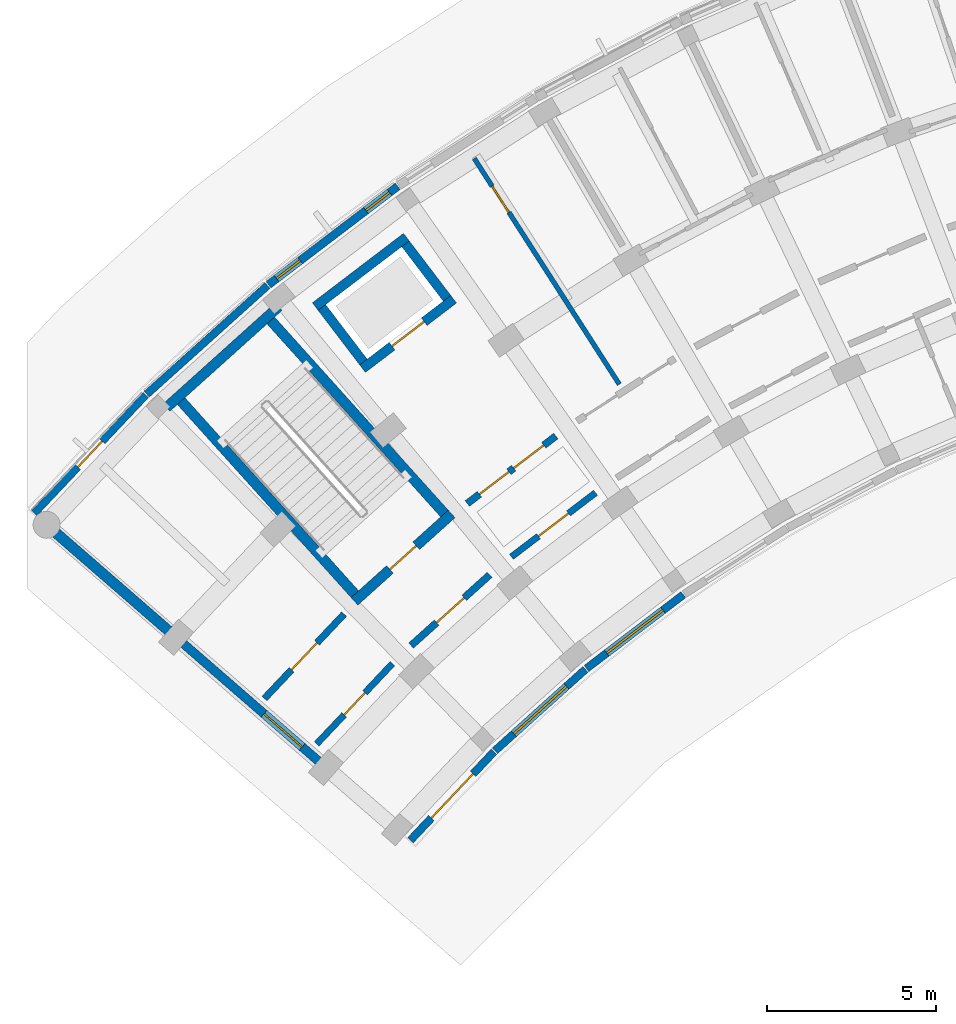
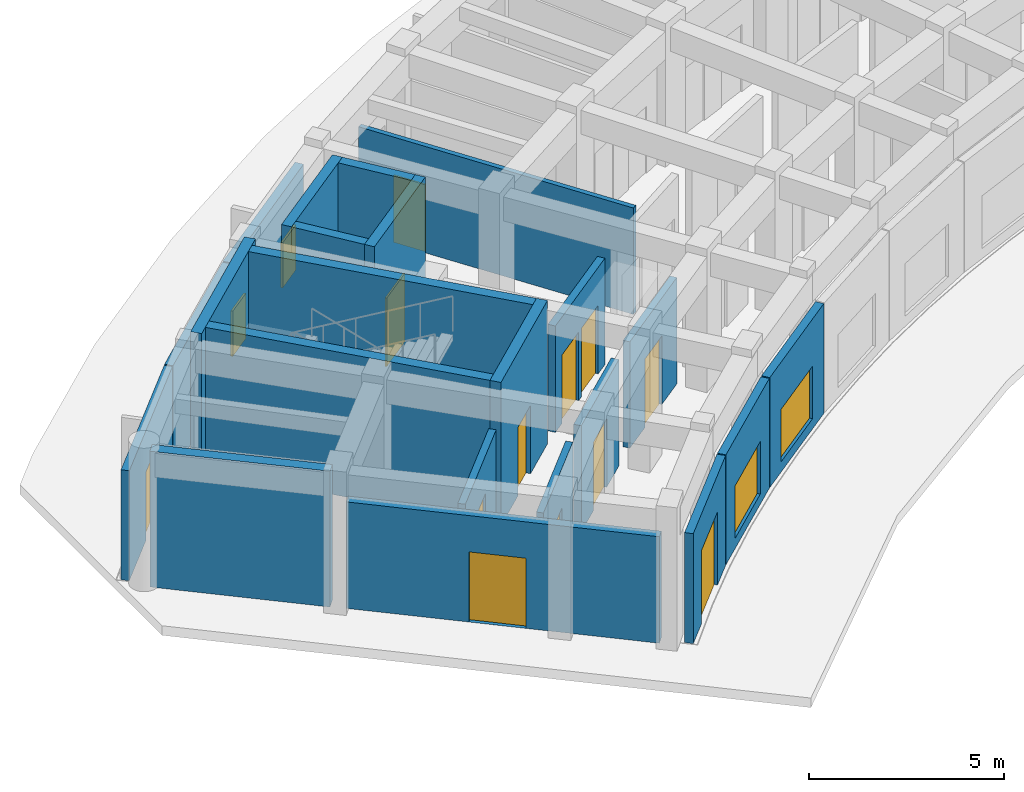
# One storey, part 31 of 61: 22 walls, 12 doors, 4 windows, 16 openings.
"""IFC4 building model written with IfcOpenShell, lengths in metres."""

from ifc_helpers import new_model, si_unit, direction, frame, frame_2d, origin, place, context, subcontext, project, spatial, rectangle, extrude, material, layer, layer_set, type_object, element, fill, save


model = new_model("IFC4")

# Units and contexts
model_context = context("Model", 3, precision=1e-05, world=origin(), true_north=direction((0.0, 1.0)))
body_context = subcontext(model_context, "Body", "Model", "MODEL_VIEW")
ifc_project = project(units=[si_unit("LENGTHUNIT", "METRE"), si_unit("AREAUNIT", "SQUARE_METRE"), si_unit("VOLUMEUNIT", "CUBIC_METRE"), si_unit("PLANEANGLEUNIT", "RADIAN"), si_unit("MASSUNIT", "GRAM", prefix="KILO")], contexts=[model_context])

# Site, building, storey
site_placement = place(None, origin())
site = spatial("IfcSite", under=ifc_project, at=site_placement, CompositionType="ELEMENT")
building_placement = place(site_placement, origin())
building = spatial("IfcBuilding", under=site, at=building_placement, Name="Zimvara Arc Housing Community", CompositionType="ELEMENT")
storey_placement = place(building_placement, origin())
storey = spatial("IfcBuildingStorey", under=building, at=storey_placement, Name="L00", CompositionType="ELEMENT", Elevation=0.0)

# Wall, opening, door
ifc_material_1 = material(Name="Board-Marked Fair-Faced Concrete C35/45", Category="concrete")
ifc_layer_1 = layer(ifc_material_1, 0.219970703125)
ifc_layer_set_1 = layer_set([ifc_layer_1], Name="Board-Marked Fair-Faced Concrete C35/45")
wall_type_1 = type_object("IfcWallType", Name="EWL-CONC-220", PredefinedType="SOLIDWALL", material=ifc_layer_set_1)
wall_1_placement = place(storey_placement, frame((0.198974609375, 83.471435546875, 0.0), z_axis=(0.0, 0.0, 1.0), x_axis=(0.686350671901, 0.727270757821, 0.0)))
wall_1 = element("IfcWall", 1, at=wall_1_placement, inside=storey, type_object=wall_type_1, Name="ewall:blkA:L00:out:b0", PredefinedType="SOLIDWALL", context=body_context, shape_type="SweptSolid", body=[
    extrude(rectangle(XDim=4.808837890625, YDim=0.219970703125, at=frame_2d((2.404296875, 0.0))), origin(), (0.0, 0.0, 1.0), 3.449951171875),
])
opening_1_placement = place(wall_1_placement, frame((1.87939453125, 0.0, 0.0)))
opening_1 = element("IfcOpeningElement", 2, at=opening_1_placement, cuts=wall_1, Name="Opening ED08", PredefinedType="OPENING", context=body_context, shape_type="SweptSolid", body=[
    extrude(rectangle(XDim=1.050048828125, YDim=2.14990234375, at=frame_2d((0.52490234375, 1.074951171875))), frame((0.0, 0.119873046875, 0.0), z_axis=(0.0, -1.0, 0.0), x_axis=(1.0, 0.0, 0.0)), (0.0, 0.0, 1.0), 0.239990234375),
])
ifc_material_2 = material(Name="Anodised Aluminium AW-6063", Category="aluminium")
door_type_1 = type_object("IfcDoorType", Name="EDR-FCC-1050x2150", OperationType="NOTDEFINED", PredefinedType="DOOR", material=ifc_material_2)
door_1_placement = place(opening_1_placement, origin())
door_1 = element("IfcDoor", 3, at=door_1_placement, inside=storey, type_object=door_type_1, Name="edoor:blkA:L00:fcc", OperationType="SINGLE_SWING_RIGHT", OverallHeight=2.14990234375, OverallWidth=1.050048828125, PredefinedType="DOOR", context=body_context, shape_type="SweptSolid", body=[
    extrude(rectangle(XDim=1.050048828125, YDim=2.14990234375, at=frame_2d((0.52490234375, 1.074951171875))), frame((0.0, 0.02490234375, 0.0), z_axis=(0.0, -1.0, 0.0), x_axis=(1.0, 0.0, 0.0)), (0.0, 0.0, 1.0), 0.050048828125),
])
fill(opening_1, door_1)

ifc_material_3 = material(Name="Board-Marked Fair-Faced Concrete C35/45", Category="concrete")
ifc_layer_2 = layer(ifc_material_3, 0.22998046875)
ifc_layer_set_2 = layer_set([ifc_layer_2], Name="Board-Marked Fair-Faced Concrete C35/45")
wall_type_2 = type_object("IfcWallType", Name="EWL-CONC-230", PredefinedType="SOLIDWALL", material=ifc_layer_set_2)
wall_2_placement = place(storey_placement, frame((11.338623046875, 73.787841796875, 0.0), z_axis=(0.0, 0.0, 1.0), x_axis=(0.686315111338, 0.727304315915, 0.0)))
wall_2 = element("IfcWall", 4, at=wall_2_placement, inside=storey, type_object=wall_type_2, Name="ewall:blkA:L00:in:b0", PredefinedType="SOLIDWALL", context=body_context, shape_type="SweptSolid", body=[
    extrude(rectangle(XDim=3.603515625, YDim=0.22998046875, at=frame_2d((1.8017578125, 0.0))), origin(), (0.0, 0.0, 1.0), 3.449951171875),
])
opening_2_placement = place(wall_2_placement, frame((0.90185546875, 0.0, 0.0)))
opening_2 = element("IfcOpeningElement", 5, at=opening_2_placement, cuts=wall_2, Name="Opening ED02", PredefinedType="OPENING", context=body_context, shape_type="SweptSolid", body=[
    extrude(rectangle(XDim=1.800048828125, YDim=2.300048828125, at=frame_2d((0.89990234375, 1.14990234375))), frame((0.0, 0.125, 0.0), z_axis=(0.0, -1.0, 0.0), x_axis=(1.0, 0.0, 0.0)), (0.0, 0.0, 1.0), 0.25),
])
ifc_material_4 = material(Name="Anodised Aluminium AW-6063", Category="aluminium")
door_type_2 = type_object("IfcDoorType", Name="EDR-EXIT-1800x2300", OperationType="DOUBLE_DOOR_SINGLE_SWING", PredefinedType="DOOR", material=ifc_material_4)
door_2_placement = place(opening_2_placement, origin())
door_2 = element("IfcDoor", 6, at=door_2_placement, inside=storey, type_object=door_type_2, Name="edoor:blkA:L00:lobby", OperationType="DOUBLE_DOOR_SINGLE_SWING", OverallHeight=2.300048828125, OverallWidth=1.800048828125, PredefinedType="DOOR", context=body_context, shape_type="SweptSolid", body=[
    extrude(rectangle(XDim=1.800048828125, YDim=2.300048828125, at=frame_2d((0.89990234375, 1.14990234375))), frame((0.0, 0.02490234375, 0.0), z_axis=(0.0, -1.0, 0.0), x_axis=(1.0, 0.0, 0.0)), (0.0, 0.0, 1.0), 0.050048828125),
])
fill(opening_2, door_2)

# Wall
wall_3_placement = place(storey_placement, frame((3.528076171875, 86.996826171875, 0.0), z_axis=(0.0, 0.0, 1.0), x_axis=(0.743387539862, 0.668860946369, 0.0)))
element("IfcWall", 7, at=wall_3_placement, inside=storey, type_object=wall_type_2, Name="ewall:blkA:L00:out:b1", PredefinedType="SOLIDWALL", context=body_context, shape_type="SweptSolid", body=[
    extrude(rectangle(XDim=4.80908203125, YDim=0.22998046875, at=frame_2d((2.404541015625, 0.0))), origin(), (0.0, 0.0, 1.0), 3.449951171875),
])

# Wall, opening, window
wall_4_placement = place(storey_placement, frame((13.84033203125, 76.436767578125, 0.0), z_axis=(0.0, 0.0, 1.0), x_axis=(0.743385092197, 0.668863666751, 0.0)))
wall_4 = element("IfcWall", 8, at=wall_4_placement, inside=storey, type_object=wall_type_2, Name="ewall:blkA:L00:in:b1", PredefinedType="SOLIDWALL", context=body_context, shape_type="SweptSolid", body=[
    extrude(rectangle(XDim=3.603759765625, YDim=0.22998046875, at=frame_2d((1.8017578125, 0.0))), origin(), (0.0, 0.0, 1.0), 3.449951171875),
])
opening_3_placement = place(wall_4_placement, frame((0.751708984375, 0.0, 0.320068359375)))
opening_3 = element("IfcOpeningElement", 9, at=opening_3_placement, cuts=wall_4, Name="Opening W09", PredefinedType="OPENING", context=body_context, shape_type="SweptSolid", body=[
    extrude(rectangle(XDim=2.10009765625, YDim=1.64990234375, at=frame_2d((1.050048828125, 0.824951171875))), frame((0.0, 0.125, 0.0), z_axis=(0.0, -1.0, 0.0), x_axis=(1.0, 0.0, 0.0)), (0.0, 0.0, 1.0), 0.25),
])
ifc_material_5 = material(Name="Solar Control Low-E Double Glazing", Category="glass")
window_type_1 = type_object("IfcWindowType", Name="WIN-RES-2100x1650", PartitioningType="TRIPLE_PANEL_VERTICAL", PredefinedType="WINDOW", material=ifc_material_5)
window_1_placement = place(opening_3_placement, origin())
window_1 = element("IfcWindow", 10, at=window_1_placement, inside=storey, type_object=window_type_1, Name="win:blkA:L00:in:b1", OverallHeight=1.64990234375, OverallWidth=2.10009765625, PartitioningType="TRIPLE_PANEL_VERTICAL", PredefinedType="WINDOW", context=body_context, shape_type="SweptSolid", body=[
    extrude(rectangle(XDim=2.10009765625, YDim=1.64990234375, at=frame_2d((1.050048828125, 0.824951171875))), frame((0.0, 0.030029296875, 0.0), z_axis=(0.0, -1.0, 0.0), x_axis=(1.0, 0.0, 0.0)), (0.0, 0.0, 1.0), 0.06005859375),
])
fill(opening_3, window_1)

wall_5_placement = place(storey_placement, frame((16.550048828125, 78.87255859375, 0.0), z_axis=(0.0, 0.0, 1.0), x_axis=(0.795473707045, 0.605988103349, 0.0)))
wall_5 = element("IfcWall", 11, at=wall_5_placement, inside=storey, type_object=wall_type_2, Name="ewall:blkA:L00:in:b2", PredefinedType="SOLIDWALL", context=body_context, shape_type="SweptSolid", body=[
    extrude(rectangle(XDim=3.603759765625, YDim=0.22998046875, at=frame_2d((1.8017578125, 0.0))), origin(), (0.0, 0.0, 1.0), 3.449951171875),
])
opening_4_placement = place(wall_5_placement, frame((0.751708984375, 0.0, 0.320068359375)))
opening_4 = element("IfcOpeningElement", 12, at=opening_4_placement, cuts=wall_5, Name="Opening W09", PredefinedType="OPENING", context=body_context, shape_type="SweptSolid", body=[
    extrude(rectangle(XDim=2.10009765625, YDim=1.64990234375, at=frame_2d((1.050048828125, 0.824951171875))), frame((0.0, 0.125, 0.0), z_axis=(0.0, -1.0, 0.0), x_axis=(1.0, 0.0, 0.0)), (0.0, 0.0, 1.0), 0.25),
])
window_2_placement = place(opening_4_placement, origin())
window_2 = element("IfcWindow", 13, at=window_2_placement, inside=storey, type_object=window_type_1, Name="win:blkA:L00:in:b2", OverallHeight=1.64990234375, OverallWidth=2.10009765625, PartitioningType="TRIPLE_PANEL_VERTICAL", PredefinedType="WINDOW", context=body_context, shape_type="SweptSolid", body=[
    extrude(rectangle(XDim=2.10009765625, YDim=1.64990234375, at=frame_2d((1.050048828125, 0.824951171875))), frame((0.0, 0.030029296875, 0.0), z_axis=(0.0, -1.0, 0.0), x_axis=(1.0, 0.0, 0.0)), (0.0, 0.0, 1.0), 0.06005859375),
])
fill(opening_4, window_2)

# Wall, openings, windows
ifc_material_6 = material(Name="Board-Marked Fair-Faced Concrete C35/45", Category="concrete")
ifc_layer_3 = layer(ifc_material_6, 0.239990234375)
ifc_layer_set_3 = layer_set([ifc_layer_3], Name="Board-Marked Fair-Faced Concrete C35/45")
wall_type_3 = type_object("IfcWallType", Name="EWL-CONC-240", PredefinedType="SOLIDWALL", material=ifc_layer_set_3)
wall_6_placement = place(storey_placement, frame((7.1337890625, 90.23876953125, 0.0), z_axis=(0.0, 0.0, 1.0), x_axis=(0.795469013207, 0.605994264848, 0.0)))
wall_6 = element("IfcWall", 14, at=wall_6_placement, inside=storey, type_object=wall_type_3, Name="ewall:blkA:L00:out:b2", PredefinedType="SOLIDWALL", context=body_context, shape_type="SweptSolid", body=[
    extrude(rectangle(XDim=4.808837890625, YDim=0.239990234375, at=frame_2d((2.404296875, 0.0))), origin(), (0.0, 0.0, 1.0), 3.449951171875),
])
opening_5_placement = place(wall_6_placement, frame((0.300048828125, 0.0, 0.300048828125)))
opening_5 = element("IfcOpeningElement", 15, at=opening_5_placement, cuts=wall_6, Name="Opening W23", PredefinedType="OPENING", context=body_context, shape_type="SweptSolid", body=[
    extrude(rectangle(XDim=0.8798828125, YDim=1.419921875, at=frame_2d((0.43994140625, 0.7099609375))), frame((0.0, 0.1298828125, 0.0), z_axis=(0.0, -1.0, 0.0), x_axis=(1.0, 0.0, 0.0)), (0.0, 0.0, 1.0), 0.260009765625),
])
opening_6_placement = place(wall_6_placement, frame((3.62890625, 0.0, 0.300048828125)))
opening_6 = element("IfcOpeningElement", 16, at=opening_6_placement, cuts=wall_6, Name="Opening W23", PredefinedType="OPENING", context=body_context, shape_type="SweptSolid", body=[
    extrude(rectangle(XDim=0.8798828125, YDim=1.419921875, at=frame_2d((0.43994140625, 0.7099609375))), frame((0.0, 0.1298828125, 0.0), z_axis=(0.0, -1.0, 0.0), x_axis=(1.0, 0.0, 0.0)), (0.0, 0.0, 1.0), 0.260009765625),
])
ifc_material_7 = material(Name="Solar Control Low-E Double Glazing", Category="glass")
window_type_2 = type_object("IfcWindowType", Name="WIN-MOD-880x1420", PartitioningType="DOUBLE_PANEL_VERTICAL", PredefinedType="WINDOW", material=ifc_material_7)
window_3_placement = place(opening_5_placement, origin())
window_3 = element("IfcWindow", 17, at=window_3_placement, inside=storey, type_object=window_type_2, Name="win:blkA:L00:out:b2:1", OverallHeight=1.419921875, OverallWidth=0.8798828125, PartitioningType="DOUBLE_PANEL_VERTICAL", PredefinedType="WINDOW", context=body_context, shape_type="SweptSolid", body=[
    extrude(rectangle(XDim=0.8798828125, YDim=1.419921875, at=frame_2d((0.43994140625, 0.7099609375))), frame((0.0, 0.030029296875, 0.0), z_axis=(0.0, -1.0, 0.0), x_axis=(1.0, 0.0, 0.0)), (0.0, 0.0, 1.0), 0.06005859375),
])
fill(opening_5, window_3)
window_4_placement = place(opening_6_placement, origin())
window_4 = element("IfcWindow", 18, at=window_4_placement, inside=storey, type_object=window_type_2, Name="win:blkA:L00:out:b2:2", OverallHeight=1.419921875, OverallWidth=0.8798828125, PartitioningType="DOUBLE_PANEL_VERTICAL", PredefinedType="WINDOW", context=body_context, shape_type="SweptSolid", body=[
    extrude(rectangle(XDim=0.8798828125, YDim=1.419921875, at=frame_2d((0.43994140625, 0.7099609375))), frame((0.0, 0.030029296875, 0.0), z_axis=(0.0, -1.0, 0.0), x_axis=(1.0, 0.0, 0.0)), (0.0, 0.0, 1.0), 0.06005859375),
])
fill(opening_6, window_4)

# Wall, opening, door
ifc_material_8 = material(Name="Board-Marked Fair-Faced Concrete C35/45", Category="concrete")
ifc_layer_4 = layer(ifc_material_8, 0.264892578125)
ifc_layer_set_4 = layer_set([ifc_layer_4], Name="Board-Marked Fair-Faced Concrete C35/45")
wall_type_4 = type_object("IfcWallType", Name="EWL-CONC-265", PredefinedType="SOLIDWALL", material=ifc_layer_set_4)
wall_7_placement = place(storey_placement, frame((10.766357421875, 74.2587890625, 0.0), z_axis=(0.0, 0.0, 1.0), x_axis=(-0.754717680958, 0.656049710044, 0.0)))
wall_7 = element("IfcWall", 19, at=wall_7_placement, inside=storey, type_object=wall_type_4, Name="ewall:blkA:L00:g0", PredefinedType="SOLIDWALL", context=body_context, shape_type="SweptSolid", body=[
    extrude(rectangle(XDim=8.199951171875, YDim=0.264892578125, at=frame_2d((4.10009765625, 0.0))), origin(), (0.0, 0.0, 1.0), 3.340087890625),
])
opening_7_placement = place(wall_7_placement, frame((3.489990234375, 0.0, 0.0)))
opening_7 = element("IfcOpeningElement", 20, at=opening_7_placement, cuts=wall_7, Name="Opening ED01", PredefinedType="OPENING", context=body_context, shape_type="SweptSolid", body=[
    extrude(rectangle(XDim=1.5, YDim=2.199951171875, at=frame_2d((0.75, 1.10009765625))), frame((0.0, 0.142333984375, 0.0), z_axis=(0.0, -1.0, 0.0), x_axis=(1.0, 0.0, 0.0)), (0.0, 0.0, 1.0), 0.284912109375),
])
ifc_material_9 = material(Name="Anodised Aluminium AW-6063", Category="aluminium")
door_type_3 = type_object("IfcDoorType", Name="EDR-EXIT-1500x2200", OperationType="DOUBLE_DOOR_SINGLE_SWING", PredefinedType="DOOR", material=ifc_material_9)
door_3_placement = place(opening_7_placement, origin())
door_3 = element("IfcDoor", 21, at=door_3_placement, inside=storey, type_object=door_type_3, Name="edoor:blkA:L00:corr_exit:g0", OperationType="DOUBLE_DOOR_SINGLE_SWING", OverallHeight=2.199951171875, OverallWidth=1.5, PredefinedType="DOOR", context=body_context, shape_type="SweptSolid", body=[
    extrude(rectangle(XDim=1.5, YDim=2.199951171875, at=frame_2d((0.75, 1.10009765625))), frame((0.0, 0.02490234375, 0.0), z_axis=(0.0, -1.0, 0.0), x_axis=(1.0, 0.0, 0.0)), (0.0, 0.0, 1.0), 0.050048828125),
])
fill(opening_7, door_3)

ifc_material_10 = material(Name="Concrete C35/45", Category="concrete")
ifc_layer_5 = layer(ifc_material_10, 0.2099609375)
ifc_layer_set_5 = layer_set([ifc_layer_5], Name="Concrete C35/45")
wall_type_5 = type_object("IfcWallType", Name="IWL-CCF-210", PredefinedType="SOLIDWALL", material=ifc_layer_set_5)
wall_8_placement = place(storey_placement, frame((11.357177734375, 79.5517578125, 0.0), z_axis=(0.0, 0.0, 1.0), x_axis=(0.743387266925, 0.668861249718, 0.0)))
wall_8 = element("IfcWall", 22, at=wall_8_placement, inside=storey, type_object=wall_type_5, Name="iwall:blkA:L00:ccf_div:b1", PredefinedType="SOLIDWALL", context=body_context, shape_type="SweptSolid", body=[
    extrude(rectangle(XDim=3.12841796875, YDim=0.2099609375, at=frame_2d((1.564208984375, 0.0))), origin(), (0.0, 0.0, 1.0), 3.340087890625),
])
opening_8_placement = place(wall_8_placement, frame((1.014404296875, 0.0, 0.0)))
opening_8 = element("IfcOpeningElement", 23, at=opening_8_placement, cuts=wall_8, Name="Opening FD-CCF1", PredefinedType="OPENING", context=body_context, shape_type="SweptSolid", body=[
    extrude(rectangle(XDim=1.10009765625, YDim=2.14990234375, at=frame_2d((0.550048828125, 1.074951171875))), frame((0.0, 0.114990234375, 0.0), z_axis=(0.0, -1.0, 0.0), x_axis=(1.0, 0.0, 0.0)), (0.0, 0.0, 1.0), 0.22998046875),
])
ifc_material_11 = material(Name="Anodised Aluminium AW-6063", Category="aluminium")
door_type_4 = type_object("IfcDoorType", Name="IDR-CCF-1100x2150", OperationType="NOTDEFINED", PredefinedType="DOOR", material=ifc_material_11)
door_4_placement = place(opening_8_placement, origin())
door_4 = element("IfcDoor", 24, at=door_4_placement, inside=storey, type_object=door_type_4, Name="idoor:blkA:L00:ccf_in:b1", OperationType="SINGLE_SWING_LEFT", OverallHeight=2.14990234375, OverallWidth=1.10009765625, PredefinedType="DOOR", context=body_context, shape_type="SweptSolid", body=[
    extrude(rectangle(XDim=1.10009765625, YDim=2.14990234375, at=frame_2d((0.550048828125, 1.074951171875))), frame((0.0, 0.02490234375, 0.0), z_axis=(0.0, -1.0, 0.0), x_axis=(1.0, 0.0, 0.0)), (0.0, 0.0, 1.0), 0.050048828125),
])
fill(opening_8, door_4)

# Wall, openings, doors
wall_9_placement = place(storey_placement, frame((13.021240234375, 83.758544921875, 0.0), z_axis=(0.0, 0.0, 1.0), x_axis=(0.795498026433, 0.605956178235, 0.0)))
wall_9 = element("IfcWall", 25, at=wall_9_placement, inside=storey, type_object=wall_type_5, Name="iwall:blkA:L00:ll_div:b2", PredefinedType="SOLIDWALL", context=body_context, shape_type="SweptSolid", body=[
    extrude(rectangle(XDim=3.296142578125, YDim=0.2099609375, at=frame_2d((1.64794921875, 0.0))), origin(), (0.0, 0.0, 1.0), 3.340087890625),
])
opening_9_placement = place(wall_9_placement, frame((0.449951171875, 0.0, 0.0)))
opening_9 = element("IfcOpeningElement", 26, at=opening_9_placement, cuts=wall_9, Name="Opening FD-CCF1", PredefinedType="OPENING", context=body_context, shape_type="SweptSolid", body=[
    extrude(rectangle(XDim=1.10009765625, YDim=2.14990234375, at=frame_2d((0.550048828125, 1.074951171875))), frame((0.0, 0.114990234375, 0.0), z_axis=(0.0, -1.0, 0.0), x_axis=(1.0, 0.0, 0.0)), (0.0, 0.0, 1.0), 0.22998046875),
])
opening_10_placement = place(wall_9_placement, frame((1.72607421875, 0.0, 0.0)))
opening_10 = element("IfcOpeningElement", 27, at=opening_10_placement, cuts=wall_9, Name="Opening D07", PredefinedType="OPENING", context=body_context, shape_type="SweptSolid", body=[
    extrude(rectangle(XDim=1.1201171875, YDim=2.14990234375, at=frame_2d((0.56005859375, 1.074951171875))), frame((0.0, 0.114990234375, 0.0), z_axis=(0.0, -1.0, 0.0), x_axis=(1.0, 0.0, 0.0)), (0.0, 0.0, 1.0), 0.22998046875),
])
ifc_material_12 = material(Name="Mozambican Hardwood", Category="wood")
door_type_5 = type_object("IfcDoorType", Name="IDR-AMN-1120x2150", OperationType="NOTDEFINED", PredefinedType="DOOR", material=ifc_material_12)
door_5_placement = place(opening_10_placement, origin())
door_5 = element("IfcDoor", 28, at=door_5_placement, inside=storey, type_object=door_type_5, Name="idoor:blkA:L00:rs_in:b2", OperationType="SINGLE_SWING_LEFT", OverallHeight=2.14990234375, OverallWidth=1.1201171875, PredefinedType="DOOR", context=body_context, shape_type="SweptSolid", body=[
    extrude(rectangle(XDim=1.1201171875, YDim=2.14990234375, at=frame_2d((0.56005859375, 1.074951171875))), frame((0.0, 0.02490234375, 0.0), z_axis=(0.0, -1.0, 0.0), x_axis=(1.0, 0.0, 0.0)), (0.0, 0.0, 1.0), 0.050048828125),
])
fill(opening_10, door_5)
door_6_placement = place(opening_9_placement, origin())
door_6 = element("IfcDoor", 29, at=door_6_placement, inside=storey, type_object=door_type_4, Name="idoor:blkA:L00:ll_in:b2", OperationType="SINGLE_SWING_RIGHT", OverallHeight=2.14990234375, OverallWidth=1.10009765625, PredefinedType="DOOR", context=body_context, shape_type="SweptSolid", body=[
    extrude(rectangle(XDim=1.10009765625, YDim=2.14990234375, at=frame_2d((0.550048828125, 1.074951171875))), frame((0.0, 0.02490234375, 0.0), z_axis=(0.0, -1.0, 0.0), x_axis=(1.0, 0.0, 0.0)), (0.0, 0.0, 1.0), 0.050048828125),
])
fill(opening_9, door_6)

# Wall, opening, door
ifc_material_13 = material(Name="Concrete C35/45", Category="concrete")
ifc_layer_6 = layer(ifc_material_13, 0.18994140625)
ifc_layer_set_6 = layer_set([ifc_layer_6], Name="Concrete C35/45")
wall_type_6 = type_object("IfcWallType", Name="IWL-CORR-190", PredefinedType="SOLIDWALL", material=ifc_layer_set_6)
wall_10_placement = place(storey_placement, frame((8.561279296875, 76.638916015625, 0.0), z_axis=(0.0, 0.0, 1.0), x_axis=(0.686307658735, 0.727311348434, 0.0)))
wall_10 = element("IfcWall", 30, at=wall_10_placement, inside=storey, type_object=wall_type_6, Name="iwall:blkA:L00:corr_in:b0", PredefinedType="SOLIDWALL", context=body_context, shape_type="SweptSolid", body=[
    extrude(rectangle(XDim=3.268798828125, YDim=0.18994140625, at=frame_2d((1.63427734375, 0.0))), origin(), (0.0, 0.0, 1.0), 3.340087890625),
])
opening_11_placement = place(wall_10_placement, frame((1.184326171875, 0.0, 0.0)))
opening_11 = element("IfcOpeningElement", 31, at=opening_11_placement, cuts=wall_10, Name="Opening D01", PredefinedType="OPENING", context=body_context, shape_type="SweptSolid", body=[
    extrude(rectangle(XDim=0.89990234375, YDim=2.10009765625, at=frame_2d((0.449951171875, 1.050048828125))), frame((0.0, 0.10498046875, 0.0), z_axis=(0.0, -1.0, 0.0), x_axis=(1.0, 0.0, 0.0)), (0.0, 0.0, 1.0), 0.2099609375),
])
ifc_material_14 = material(Name="Mozambican Hardwood", Category="wood")
door_type_6 = type_object("IfcDoorType", Name="IDR-RM-0900x2100", OperationType="NOTDEFINED", PredefinedType="DOOR", material=ifc_material_14)
door_7_placement = place(opening_11_placement, origin())
door_7 = element("IfcDoor", 32, at=door_7_placement, inside=storey, type_object=door_type_6, Name="idoor:blkA:L00:in_rm:b0", OperationType="SINGLE_SWING_RIGHT", OverallHeight=2.10009765625, OverallWidth=0.89990234375, PredefinedType="DOOR", context=body_context, shape_type="SweptSolid", body=[
    extrude(rectangle(XDim=0.89990234375, YDim=2.10009765625, at=frame_2d((0.449951171875, 1.050048828125))), frame((0.0, 0.02490234375, 0.0), z_axis=(0.0, -1.0, 0.0), x_axis=(1.0, 0.0, 0.0)), (0.0, 0.0, 1.0), 0.050048828125),
])
fill(opening_11, door_7)

wall_11_placement = place(storey_placement, frame((14.3291015625, 82.179931640625, 0.0), z_axis=(0.0, 0.0, 1.0), x_axis=(0.795501577908, 0.605951515838, 0.0)))
wall_11 = element("IfcWall", 33, at=wall_11_placement, inside=storey, type_object=wall_type_6, Name="iwall:blkA:L00:ra_div:b2", PredefinedType="SOLIDWALL", context=body_context, shape_type="SweptSolid", body=[
    extrude(rectangle(XDim=3.128662109375, YDim=0.18994140625, at=frame_2d((1.564453125, 0.0))), origin(), (0.0, 0.0, 1.0), 3.340087890625),
])
opening_12_placement = place(wall_11_placement, frame((1.00439453125, 0.0, 0.0)))
opening_12 = element("IfcOpeningElement", 34, at=opening_12_placement, cuts=wall_11, Name="Opening D07", PredefinedType="OPENING", context=body_context, shape_type="SweptSolid", body=[
    extrude(rectangle(XDim=1.1201171875, YDim=2.14990234375, at=frame_2d((0.56005859375, 1.074951171875))), frame((0.0, 0.10498046875, 0.0), z_axis=(0.0, -1.0, 0.0), x_axis=(1.0, 0.0, 0.0)), (0.0, 0.0, 1.0), 0.2099609375),
])
door_8_placement = place(opening_12_placement, origin())
door_8 = element("IfcDoor", 35, at=door_8_placement, inside=storey, type_object=door_type_5, Name="idoor:blkA:L00:ra_d:b2", OperationType="SINGLE_SWING_RIGHT", OverallHeight=2.14990234375, OverallWidth=1.1201171875, PredefinedType="DOOR", context=body_context, shape_type="SweptSolid", body=[
    extrude(rectangle(XDim=1.1201171875, YDim=2.14990234375, at=frame_2d((0.56005859375, 1.074951171875))), frame((0.0, 0.02490234375, 0.0), z_axis=(0.0, -1.0, 0.0), x_axis=(1.0, 0.0, 0.0)), (0.0, 0.0, 1.0), 0.050048828125),
])
fill(opening_12, door_8)

ifc_material_15 = material(Name="Concrete C35/45", Category="concrete")
ifc_layer_7 = layer(ifc_material_15, 0.199951171875)
ifc_layer_set_7 = layer_set([ifc_layer_7], Name="Concrete C35/45")
wall_type_7 = type_object("IfcWallType", Name="IWL-CORR-200", PredefinedType="SOLIDWALL", material=ifc_layer_set_7)
wall_12_placement = place(storey_placement, frame((7.01416015625, 77.98388671875, 0.0), z_axis=(0.0, 0.0, 1.0), x_axis=(0.686310507227, 0.727308660522, 0.0)))
wall_12 = element("IfcWall", 36, at=wall_12_placement, inside=storey, type_object=wall_type_7, Name="iwall:blkA:L00:corr_out:b0", PredefinedType="SOLIDWALL", context=body_context, shape_type="SweptSolid", body=[
    extrude(rectangle(XDim=3.43603515625, YDim=0.199951171875, at=frame_2d((1.718017578125, 0.0))), origin(), (0.0, 0.0, 1.0), 3.340087890625),
])
opening_13_placement = place(wall_12_placement, frame((1.16796875, 0.0, 0.0)))
opening_13 = element("IfcOpeningElement", 37, at=opening_13_placement, cuts=wall_12, Name="Opening FD-CCF1", PredefinedType="OPENING", context=body_context, shape_type="SweptSolid", body=[
    extrude(rectangle(XDim=1.10009765625, YDim=2.14990234375, at=frame_2d((0.550048828125, 1.074951171875))), frame((0.0, 0.10986328125, 0.0), z_axis=(0.0, -1.0, 0.0), x_axis=(1.0, 0.0, 0.0)), (0.0, 0.0, 1.0), 0.219970703125),
])
door_9_placement = place(opening_13_placement, origin())
door_9 = element("IfcDoor", 38, at=door_9_placement, inside=storey, type_object=door_type_4, Name="idoor:blkA:L00:b0_corr", OperationType="SINGLE_SWING_LEFT", OverallHeight=2.14990234375, OverallWidth=1.10009765625, PredefinedType="DOOR", context=body_context, shape_type="SweptSolid", body=[
    extrude(rectangle(XDim=1.10009765625, YDim=2.14990234375, at=frame_2d((0.550048828125, 1.074951171875))), frame((0.0, 0.02490234375, 0.0), z_axis=(0.0, -1.0, 0.0), x_axis=(1.0, 0.0, 0.0)), (0.0, 0.0, 1.0), 0.050048828125),
])
fill(opening_13, door_9)

ifc_material_16 = material(Name="Painted Acoustic Plasterboard")
ifc_layer_8 = layer(ifc_material_16, 0.139892578125)
ifc_layer_set_8 = layer_set([ifc_layer_8], Name="Painted Acoustic Plasterboard")
wall_type_8 = type_object("IfcWallType", Name="IWL-PART-140", PredefinedType="PARTITIONING", material=ifc_layer_set_8)
wall_13_placement = place(storey_placement, frame((17.52392578125, 87.287841796875, 0.0), z_axis=(0.0, 0.0, 1.0), x_axis=(-0.540338452216, 0.841447774408, 0.0)))
wall_13 = element("IfcWall", 39, at=wall_13_placement, inside=storey, type_object=wall_type_8, Name="iwall:blkA:L00:amen_div:b3", PredefinedType="PARTITIONING", context=body_context, shape_type="SweptSolid", body=[
    extrude(rectangle(XDim=7.949951171875, YDim=0.139892578125, at=frame_2d((3.97509765625, 0.0))), origin(), (0.0, 0.0, 1.0), 3.340087890625),
])
opening_14_placement = place(wall_13_placement, frame((6.050048828125, 0.0, 0.0)))
opening_14 = element("IfcOpeningElement", 40, at=opening_14_placement, cuts=wall_13, Name="Opening D02", PredefinedType="OPENING", context=body_context, shape_type="SweptSolid", body=[
    extrude(rectangle(XDim=0.919921875, YDim=2.10009765625, at=frame_2d((0.4599609375, 1.050048828125))), frame((0.0, 0.079833984375, 0.0), z_axis=(0.0, -1.0, 0.0), x_axis=(1.0, 0.0, 0.0)), (0.0, 0.0, 1.0), 0.159912109375),
])
ifc_material_17 = material(Name="Mozambican Hardwood", Category="wood")
door_type_7 = type_object("IfcDoorType", Name="IDR-RM-0920x2100", OperationType="NOTDEFINED", PredefinedType="DOOR", material=ifc_material_17)
door_10_placement = place(opening_14_placement, origin())
door_10 = element("IfcDoor", 41, at=door_10_placement, inside=storey, type_object=door_type_7, Name="idoor:blkA:L00:laund_d:b3", OperationType="SINGLE_SWING_RIGHT", OverallHeight=2.10009765625, OverallWidth=0.919921875, PredefinedType="DOOR", context=body_context, shape_type="SweptSolid", body=[
    extrude(rectangle(XDim=0.919921875, YDim=2.10009765625, at=frame_2d((0.4599609375, 1.050048828125))), frame((0.0, 0.02490234375, 0.0), z_axis=(0.0, -1.0, 0.0), x_axis=(1.0, 0.0, 0.0)), (0.0, 0.0, 1.0), 0.050048828125),
])
fill(opening_14, door_10)

ifc_material_18 = material(Name="Concrete C40/50", Category="concrete")
ifc_layer_9 = layer(ifc_material_18, 0.280029296875)
ifc_layer_set_9 = layer_set([ifc_layer_9], Name="Concrete C40/50")
wall_type_9 = type_object("IfcWallType", Name="WL-CORE-280", PredefinedType="SHEAR", material=ifc_layer_set_9)
wall_14_placement = place(storey_placement, frame((12.615966796875, 89.80712890625, 0.0), z_axis=(0.0, 0.0, 1.0), x_axis=(-0.795474703455, -0.605986795371, 0.0)))
wall_14 = element("IfcWall", 42, at=wall_14_placement, inside=storey, type_object=wall_type_9, Name="lwall:LF-A1:L00:front", PredefinedType="SHEAR", context=body_context, shape_type="SweptSolid", body=[
    extrude(rectangle(XDim=3.389892578125, YDim=0.280029296875, at=frame_2d((1.69482421875, 0.0))), origin(), (0.0, 0.0, 1.0), 4.5),
])
opening_15_placement = place(wall_14_placement, frame((1.094970703125, 0.0, 0.0)))
opening_15 = element("IfcOpeningElement", 43, at=opening_15_placement, cuts=wall_14, Name="Opening LD-LF-A1", PredefinedType="OPENING", context=body_context, shape_type="SweptSolid", body=[
    extrude(rectangle(XDim=1.199951171875, YDim=2.14990234375, at=frame_2d((0.60009765625, 1.074951171875))), frame((0.0, 0.14990234375, 0.0), z_axis=(0.0, -1.0, 0.0), x_axis=(1.0, 0.0, 0.0)), (0.0, 0.0, 1.0), 0.300048828125),
])
ifc_material_19 = material(Name="Anodised Aluminium AW-6063", Category="aluminium")
door_type_8 = type_object("IfcDoorType", Name="IDR-LD-1200x2150", OperationType="DOUBLE_DOOR_SLIDING", PredefinedType="DOOR", material=ifc_material_19)
door_11_placement = place(opening_15_placement, origin())
door_11 = element("IfcDoor", 44, at=door_11_placement, inside=storey, type_object=door_type_8, Name="Lift LF-A1 Sliding Landing Door L00", OperationType="DOUBLE_DOOR_SLIDING", OverallHeight=2.14990234375, OverallWidth=1.199951171875, PredefinedType="DOOR", context=body_context, shape_type="SweptSolid", body=[
    extrude(rectangle(XDim=1.199951171875, YDim=2.14990234375, at=frame_2d((0.60009765625, 1.074951171875))), frame((0.0, 0.02490234375, 0.0), z_axis=(0.0, -1.0, 0.0), x_axis=(1.0, 0.0, 0.0)), (0.0, 0.0, 1.0), 0.050048828125),
])
fill(opening_15, door_11)

# Walls
wall_15_placement = place(storey_placement, frame((11.216064453125, 91.644775390625, 0.0), z_axis=(0.0, 0.0, 1.0), x_axis=(-0.795439986025, -0.606032365994, 0.0)))
element("IfcWall", 45, at=wall_15_placement, inside=storey, type_object=wall_type_9, Name="lwall:LF-A1:L00:back", PredefinedType="SHEAR", context=body_context, shape_type="SweptSolid", body=[
    extrude(rectangle(XDim=3.389892578125, YDim=0.280029296875, at=frame_2d((1.69482421875, 0.0))), origin(), (0.0, 0.0, 1.0), 4.5),
])
wall_16_placement = place(storey_placement, frame((12.419677734375, 89.833740234375, 0.0), z_axis=(0.0, 0.0, 1.0), x_axis=(-0.605948992168, 0.795503500238, 0.0)))
element("IfcWall", 46, at=wall_16_placement, inside=storey, type_object=wall_type_9, Name="lwall:LF-A1:L00:left", PredefinedType="SHEAR", context=body_context, shape_type="SweptSolid", body=[
    extrude(rectangle(XDim=2.02978515625, YDim=0.280029296875, at=frame_2d((1.014892578125, 0.0))), origin(), (0.0, 0.0, 1.0), 4.5),
])
wall_17_placement = place(storey_placement, frame((9.94580078125, 87.948974609375, 0.0), z_axis=(0.0, 0.0, 1.0), x_axis=(-0.605891019062, 0.795547656033, 0.0)))
element("IfcWall", 47, at=wall_17_placement, inside=storey, type_object=wall_type_9, Name="lwall:LF-A1:L00:right", PredefinedType="SHEAR", context=body_context, shape_type="SweptSolid", body=[
    extrude(rectangle(XDim=2.030029296875, YDim=0.280029296875, at=frame_2d((1.01513671875, 0.0))), origin(), (0.0, 0.0, 1.0), 4.5),
])

# Wall, opening, door
ifc_material_20 = material(Name="Concrete C40/50", Category="concrete")
ifc_layer_10 = layer(ifc_material_20, 0.300048828125)
ifc_layer_set_10 = layer_set([ifc_layer_10], Name="Concrete C40/50")
wall_type_10 = type_object("IfcWallType", Name="WL-CORE-300", PredefinedType="SHEAR", material=ifc_layer_set_10)
wall_18_placement = place(storey_placement, frame((12.556884765625, 83.4501953125, 0.0), z_axis=(0.0, 0.0, 1.0), x_axis=(-0.743375696158, -0.668874109501, 0.0)))
wall_18 = element("IfcWall", 48, at=wall_18_placement, inside=storey, type_object=wall_type_10, Name="cwall:ST-A1:L00:near", PredefinedType="SHEAR", context=body_context, shape_type="SweptSolid", body=[
    extrude(rectangle(XDim=3.8701171875, YDim=0.300048828125, at=frame_2d((1.93505859375, 0.0))), origin(), (0.0, 0.0, 1.0), 4.5),
])
opening_16_placement = place(wall_18_placement, frame((1.409912109375, 0.0, 0.0)))
opening_16 = element("IfcOpeningElement", 49, at=opening_16_placement, cuts=wall_18, Name="Opening FD-ST2", PredefinedType="OPENING", context=body_context, shape_type="SweptSolid", body=[
    extrude(rectangle(XDim=1.050048828125, YDim=2.14990234375, at=frame_2d((0.52490234375, 1.074951171875))), frame((0.0, 0.159912109375, 0.0), z_axis=(0.0, -1.0, 0.0), x_axis=(1.0, 0.0, 0.0)), (0.0, 0.0, 1.0), 0.320068359375),
])
ifc_material_21 = material(Name="Anodised Aluminium AW-6063", Category="aluminium")
door_type_9 = type_object("IfcDoorType", Name="IDR-ST-1050x2150", OperationType="NOTDEFINED", PredefinedType="DOOR", material=ifc_material_21)
door_12_placement = place(opening_16_placement, origin())
door_12 = element("IfcDoor", 50, at=door_12_placement, inside=storey, type_object=door_type_9, Name="idoor:ST-A1:L00:entry", OperationType="SINGLE_SWING_RIGHT", OverallHeight=2.14990234375, OverallWidth=1.050048828125, PredefinedType="DOOR", context=body_context, shape_type="SweptSolid", body=[
    extrude(rectangle(XDim=1.050048828125, YDim=2.14990234375, at=frame_2d((0.52490234375, 1.074951171875))), frame((0.0, 0.02490234375, 0.0), z_axis=(0.0, -1.0, 0.0), x_axis=(1.0, 0.0, 0.0)), (0.0, 0.0, 1.0), 0.050048828125),
])
fill(opening_16, door_12)

# Walls
wall_19_placement = place(storey_placement, frame((7.435546875, 89.59033203125, 0.0), z_axis=(0.0, 0.0, 1.0), x_axis=(-0.743400052815, -0.668847038922, 0.0)))
element("IfcWall", 51, at=wall_19_placement, inside=storey, type_object=wall_type_10, Name="cwall:ST-A1:L00:far", PredefinedType="SHEAR", context=body_context, shape_type="SweptSolid", body=[
    extrude(rectangle(XDim=4.469970703125, YDim=0.300048828125, at=frame_2d((2.23486328125, 0.0))), origin(), (0.0, 0.0, 1.0), 4.5),
])
wall_20_placement = place(storey_placement, frame((12.344970703125, 83.461181640625, 0.0), z_axis=(0.0, 0.0, 1.0), x_axis=(-0.668868253964, 0.743380964808, 0.0)))
element("IfcWall", 52, at=wall_20_placement, inside=storey, type_object=wall_type_10, Name="cwall:ST-A1:L00:left", PredefinedType="SHEAR", context=body_context, shape_type="SweptSolid", body=[
    extrude(rectangle(XDim=7.68994140625, YDim=0.300048828125, at=frame_2d((3.844970703125, 0.0))), origin(), (0.0, 0.0, 1.0), 4.5),
])
wall_21_placement = place(storey_placement, frame((9.691162109375, 81.073486328125, 0.0), z_axis=(0.0, 0.0, 1.0), x_axis=(-0.668885797871, 0.743365179038, 0.0)))
element("IfcWall", 53, at=wall_21_placement, inside=storey, type_object=wall_type_10, Name="cwall:ST-A1:L00:right", PredefinedType="SHEAR", context=body_context, shape_type="SweptSolid", body=[
    extrude(rectangle(XDim=7.690185546875, YDim=0.300048828125, at=frame_2d((3.84521484375, 0.0))), origin(), (0.0, 0.0, 1.0), 4.5),
])
ifc_material_22 = material(Name="Concrete C40/50", Category="concrete")
ifc_layer_11 = layer(ifc_material_22, 0.31005859375)
ifc_layer_set_11 = layer_set([ifc_layer_11], Name="Concrete C40/50")
wall_type_11 = type_object("IfcWallType", Name="WL-SHEAR-310", PredefinedType="SHEAR", material=ifc_layer_set_11)
wall_22_placement = place(storey_placement, frame((4.2607421875, 79.9140625, 0.0), z_axis=(0.0, 0.0, 1.0), x_axis=(-0.754703505217, 0.65606601742, 0.0)))
element("IfcWall", 54, at=wall_22_placement, inside=storey, type_object=wall_type_11, Name="swall:blkA:L00:west", PredefinedType="SHEAR", context=body_context, shape_type="SweptSolid", body=[
    extrude(rectangle(XDim=4.719970703125, YDim=0.31005859375, at=frame_2d((2.35986328125, 0.0))), origin(), (0.0, 0.0, 1.0), 4.260009765625),
])

save(model, "model.ifc")
